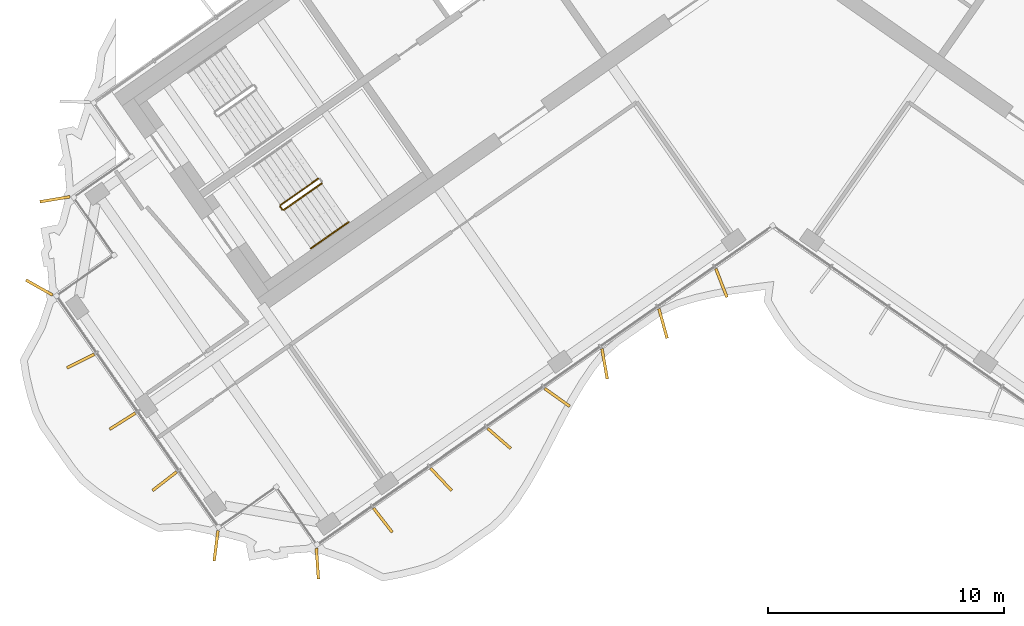
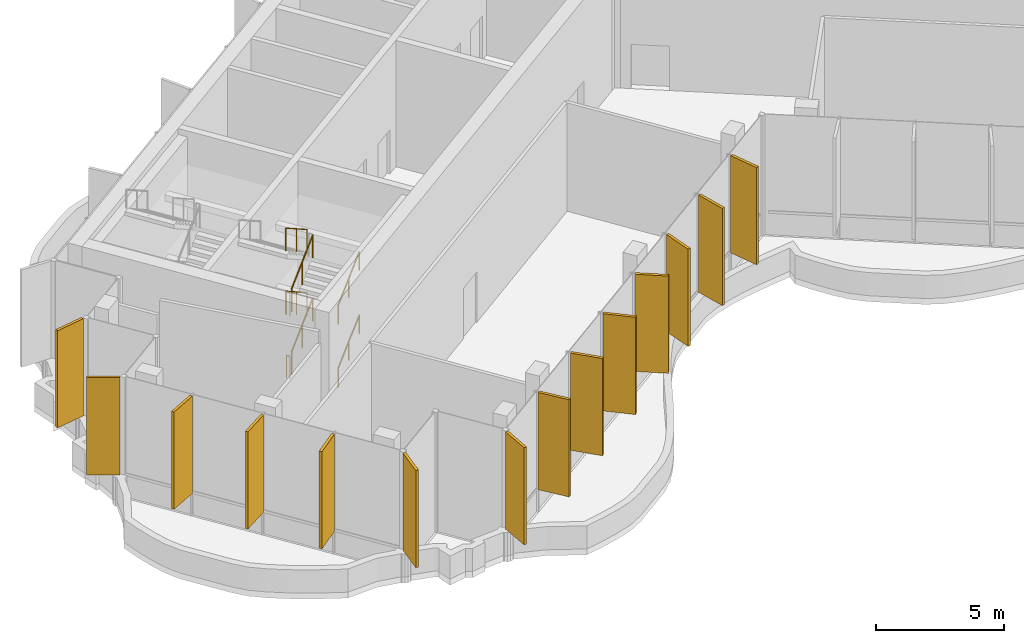
# One storey, part 13 of 18: 14 shading devices, 8 railings.
"""IFC4 building model written with IfcOpenShell, lengths in metres."""

from ifc_helpers import new_model, si_unit, direction, frame, origin, origin_2d, place, context, subcontext, project, spatial, rectangle, circle, extrude, material, layer, layer_set, type_object, element, save


model = new_model("IFC4")

# Units and contexts
model_context = context("Model", 3, precision=1e-05, world=origin(), true_north=direction((0.0, 1.0)))
body_context = subcontext(model_context, "Body", "Model", "MODEL_VIEW")
ifc_project = project(units=[si_unit("LENGTHUNIT", "METRE"), si_unit("AREAUNIT", "SQUARE_METRE"), si_unit("VOLUMEUNIT", "CUBIC_METRE"), si_unit("PLANEANGLEUNIT", "RADIAN"), si_unit("MASSUNIT", "GRAM", prefix="KILO")], contexts=[model_context])

# Site, building, storey
site_placement = place(None, origin())
site = spatial("IfcSite", under=ifc_project, at=site_placement, CompositionType="ELEMENT")
building_placement = place(site_placement, origin())
building = spatial("IfcBuilding", under=site, at=building_placement, Name="Tel Ilan Convention Tower", CompositionType="ELEMENT")
storey_placement = place(building_placement, frame((0.0, 0.0, 307.300048828125)))
storey = spatial("IfcBuildingStorey", under=building, at=storey_placement, Name="L73", CompositionType="ELEMENT", Elevation=307.300048828125)

# Shading devices
ifc_material_1 = material(Name="Aluminium, bronze anodised", Category="aluminium")
ifc_layer = layer(ifc_material_1, 0.1201171875)
ifc_layer_set = layer_set([ifc_layer], Name="FIN BRONZE 1300x120")
shading_device_type = type_object("IfcShadingDeviceType", Name="FIN BRONZE 1300x120", PredefinedType="USERDEFINED", material=ifc_layer_set)
for number, where, z_axis, x_axis, name in (
    (1, (-30.470703125, -11.57666015625, 1.099853515625), (0.0, 0.0, 1.0), (-0.986445172547, -0.16409119891, 0.0), "FIN"),
    (2, (-31.132080078125, -15.32861328125, 1.099853515625), (0.0, 0.0, 1.0), (-0.870832754082, 0.491579408049, 0.0), "FIN"),
    (3, (-29.38525390625, -18.446533203125, 1.099853515625), (0.0, 0.0, 1.0), (-0.893632640321, -0.448799180206, 0.0), "FIN"),
    (4, (-27.60009765625, -20.996337890625, 1.099853515625), (0.0, 0.0, 1.0), (-0.845986425922, -0.533204432798, 0.0), "FIN"),
    (5, (-25.814453125, -23.54638671875, 1.099853515625), (0.0, 0.0, 1.0), (-0.790392669516, -0.612600545196, 0.0), "FIN"),
    (6, (-23.631591796875, -26.29248046875, 1.099853515625), (0.0, 0.0, 1.0), (-0.125718016748, -0.992066016082, 0.0), "FIN"),
    (7, (-19.32958984375, -27.044189453125, 1.099853515625), (0.0, 0.0, 1.0), (0.067821812994, -0.997697449973, 0.0), "FIN"),
    (8, (-16.55029296875, -25.2021484375, 1.099853515625), (0.0, 0.0, 1.0), (0.612600545196, -0.790392669516, 0.0), "FIN"),
    (9, (-14.07763671875, -23.470458984375, 1.099853515625), (0.0, 0.0, 1.0), (0.686241637865, -0.727373641577, 0.0), "FIN"),
    (10, (-11.609375, -21.734375, 1.099853515625), (0.0, 0.0, 1.0), (0.753435896329, -0.657521368568, 0.0), "FIN"),
    (11, (-9.1455078125, -19.993896484375, 1.099853515625), (0.0, 0.0, 1.0), (0.813552070258, -0.581492071294, 0.0), "FIN"),
    (12, (-7.136962890625, -18.56494140625, 1.099853515625), (0.0, 0.0, 1.0), (0.173648177667, -0.984807753012, 0.0), "FIN"),
    (13, (-4.6572265625, -16.851318359375, 1.099853515625), (0.0, 0.0, 1.0), (0.268172612768, -0.963370878614, 0.0), "FIN"),
    (14, (-2.17919921875, -15.13134765625, 1.099853515625), (0.0, 0.0, 1.0), (0.360177724803, -0.932883704733, 0.0), "FIN"),
):
    element("IfcShadingDevice", number, at=place(storey_placement, frame(where, z_axis=z_axis, x_axis=x_axis)), inside=storey, type_object=shading_device_type, Name=name, ObjectType="FIN", PredefinedType="USERDEFINED", context=body_context, shape_type="SweptSolid", body=[
        extrude(rectangle(XDim=1.300048828125, YDim=0.1201171875, at=origin_2d()), origin(), (0.0, 0.0, 1.0), 4.6201171875),
    ])

# Railings
ifc_material_2 = material(Name="Stainless Steel Grade 316", Category="steel")
railing_type_1 = type_object("IfcRailingType", Name="Stainless Steel Stair Guard 1100 mm", PredefinedType="GUARDRAIL", material=ifc_material_2)
railing_1_placement = place(storey_placement, frame((-20.753662109375, -12.029296875, 0.1875)))
element("IfcRailing", 15, at=railing_1_placement, inside=storey, type_object=railing_type_1, Name="L73 S2 stair guard 1", PredefinedType="GUARDRAIL", context=body_context, shape_type="SweptSolid", body=[
    extrude(circle(Radius=0.02392578125, at=origin_2d()), frame((0.0, 0.0, 1.076171875), z_axis=(0.680671159075, 0.476583653268, 0.55637648642), x_axis=(-0.573554290663, 0.819167550421, 0.0)), (0.0, 0.0, 1.0), 2.359130859375),
    extrude(circle(Radius=0.02099609375, at=origin_2d()), origin(), (0.0, 0.0, 1.0), 1.052001953125),
    extrude(circle(Radius=0.02099609375, at=origin_2d()), frame((0.802734375, 0.56201171875, 0.65625)), (0.0, 0.0, 1.0), 1.052001953125),
    extrude(circle(Radius=0.02099609375, at=origin_2d()), frame((1.605712890625, 1.124267578125, 1.3125)), (0.0, 0.0, 1.0), 1.052001953125),
])
railing_2_placement = place(storey_placement, frame((-19.29150390625, -10.7001953125, 1.6875)))
element("IfcRailing", 16, at=railing_2_placement, inside=storey, type_object=railing_type_1, Name="L73 S2 stair guard 3", PredefinedType="GUARDRAIL", context=body_context, shape_type="SweptSolid", body=[
    extrude(circle(Radius=0.02392578125, at=origin_2d()), frame((0.0, 0.0, 1.076171875), z_axis=(-0.680615610069, -0.476617226942, 0.556415681224), x_axis=(0.573612813533, -0.819126571508, 0.0)), (0.0, 0.0, 1.0), 2.35888671875),
    extrude(circle(Radius=0.02099609375, at=origin_2d()), origin(), (0.0, 0.0, 1.0), 1.052001953125),
    extrude(circle(Radius=0.02099609375, at=origin_2d()), frame((-0.802734375, -0.56201171875, 0.65625)), (0.0, 0.0, 1.0), 1.052001953125),
    extrude(circle(Radius=0.02099609375, at=origin_2d()), frame((-1.60546875, -1.124267578125, 1.3125)), (0.0, 0.0, 1.0), 1.052001953125),
])
railing_3_placement = place(storey_placement, frame((-20.8232421875, -12.016845703125, 3.0)))
element("IfcRailing", 17, at=railing_3_placement, inside=storey, type_object=railing_type_1, Name="L73 S2 stair guard 4", PredefinedType="GUARDRAIL", context=body_context, shape_type="SweptSolid", body=[
    extrude(circle(Radius=0.02392578125, at=origin_2d()), frame((0.0, 0.0, 1.076171875), z_axis=(-0.573353020881, 0.819308436089, 0.0), x_axis=(-0.819308436089, -0.573353020881, 0.0)), (0.0, 0.0, 1.0), 0.14990234375),
    extrude(circle(Radius=0.02099609375, at=origin_2d()), origin(), (0.0, 0.0, 1.0), 1.052001953125),
    extrude(circle(Radius=0.02099609375, at=origin_2d()), frame((-0.0859375, 0.122802734375, 0.0)), (0.0, 0.0, 1.0), 1.052001953125),
])
railing_4_placement = place(storey_placement, frame((-20.753662109375, -12.029296875, 3.1875)))
element("IfcRailing", 18, at=railing_4_placement, inside=storey, type_object=railing_type_1, Name="L73 S2 stair guard 5", PredefinedType="GUARDRAIL", context=body_context, shape_type="SweptSolid", body=[
    extrude(circle(Radius=0.02392578125, at=origin_2d()), frame((0.0, 0.0, 1.076171875), z_axis=(0.680671159075, 0.476583653268, 0.55637648642), x_axis=(-0.573554290663, 0.819167550421, 0.0)), (0.0, 0.0, 1.0), 2.359130859375),
    extrude(circle(Radius=0.02099609375, at=origin_2d()), origin(), (0.0, 0.0, 1.0), 1.052001953125),
    extrude(circle(Radius=0.02099609375, at=origin_2d()), frame((0.802734375, 0.56201171875, 0.65625)), (0.0, 0.0, 1.0), 1.052001953125),
    extrude(circle(Radius=0.02099609375, at=origin_2d()), frame((1.605712890625, 1.124267578125, 1.3125)), (0.0, 0.0, 1.0), 1.052001953125),
])
railing_5_placement = place(storey_placement, frame((-19.29150390625, -10.7001953125, 4.6875)))
element("IfcRailing", 19, at=railing_5_placement, inside=storey, type_object=railing_type_1, Name="L73 S2 stair guard 7", PredefinedType="GUARDRAIL", context=body_context, shape_type="SweptSolid", body=[
    extrude(circle(Radius=0.02392578125, at=origin_2d()), frame((0.0, 0.0, 1.076171875), z_axis=(-0.680615610069, -0.476617226942, 0.556415681224), x_axis=(0.573612813533, -0.819126571508, 0.0)), (0.0, 0.0, 1.0), 2.35888671875),
    extrude(circle(Radius=0.02099609375, at=origin_2d()), origin(), (0.0, 0.0, 1.0), 1.052001953125),
    extrude(circle(Radius=0.02099609375, at=origin_2d()), frame((-0.802734375, -0.56201171875, 0.65625)), (0.0, 0.0, 1.0), 1.052001953125),
    extrude(circle(Radius=0.02099609375, at=origin_2d()), frame((-1.60546875, -1.124267578125, 1.3125)), (0.0, 0.0, 1.0), 1.052001953125),
])
railing_6_placement = place(storey_placement, frame((-20.8232421875, -12.016845703125, 0.0)))
element("IfcRailing", 20, at=railing_6_placement, inside=storey, type_object=railing_type_1, Name="L73 S2 stair guard 8", PredefinedType="GUARDRAIL", context=body_context, shape_type="SweptSolid", body=[
    extrude(circle(Radius=0.02392578125, at=origin_2d()), frame((0.0, 0.0, 1.076171875), z_axis=(-0.573353020881, 0.819308436089, 0.0), x_axis=(-0.819308436089, -0.573353020881, 0.0)), (0.0, 0.0, 1.0), 0.14990234375),
    extrude(circle(Radius=0.02099609375, at=origin_2d()), origin(), (0.0, 0.0, 1.0), 1.052001953125),
    extrude(circle(Radius=0.02099609375, at=origin_2d()), frame((-0.0859375, 0.122802734375, 0.0)), (0.0, 0.0, 1.0), 1.052001953125),
])
ifc_material_3 = material(Name="Stainless Steel Grade 316", Category="steel")
railing_type_2 = type_object("IfcRailingType", Name="Stainless Steel Stair Handrail 900 mm", PredefinedType="HANDRAIL", material=ifc_material_3)
for number, where, name in (
    (21, (-19.6064453125, -13.66748046875, 0.1875), "L73 S2 stair handrail 1"),
    (22, (-19.6064453125, -13.66748046875, 3.1875), "L73 S2 stair handrail 3"),
):
    element("IfcRailing", number, at=place(storey_placement, frame(where)), inside=storey, type_object=railing_type_2, Name=name, PredefinedType="HANDRAIL", context=body_context, shape_type="SweptSolid", body=[
        extrude(circle(Radius=0.02392578125, at=origin_2d()), frame((0.0, 0.0, 0.8759765625), z_axis=(0.680615610069, 0.476617226942, 0.556415681224), x_axis=(-0.573612813533, 0.819126571508, 0.0)), (0.0, 0.0, 1.0), 2.35888671875),
        extrude(circle(Radius=0.02099609375, at=origin_2d()), origin(), (0.0, 0.0, 1.0), 0.851806640625),
        extrude(circle(Radius=0.02099609375, at=origin_2d()), frame((0.802734375, 0.56201171875, 0.65625)), (0.0, 0.0, 1.0), 0.851806640625),
        extrude(circle(Radius=0.02099609375, at=origin_2d()), frame((1.60546875, 1.124267578125, 1.3125)), (0.0, 0.0, 1.0), 0.851806640625),
    ])

save(model, "model.ifc")
